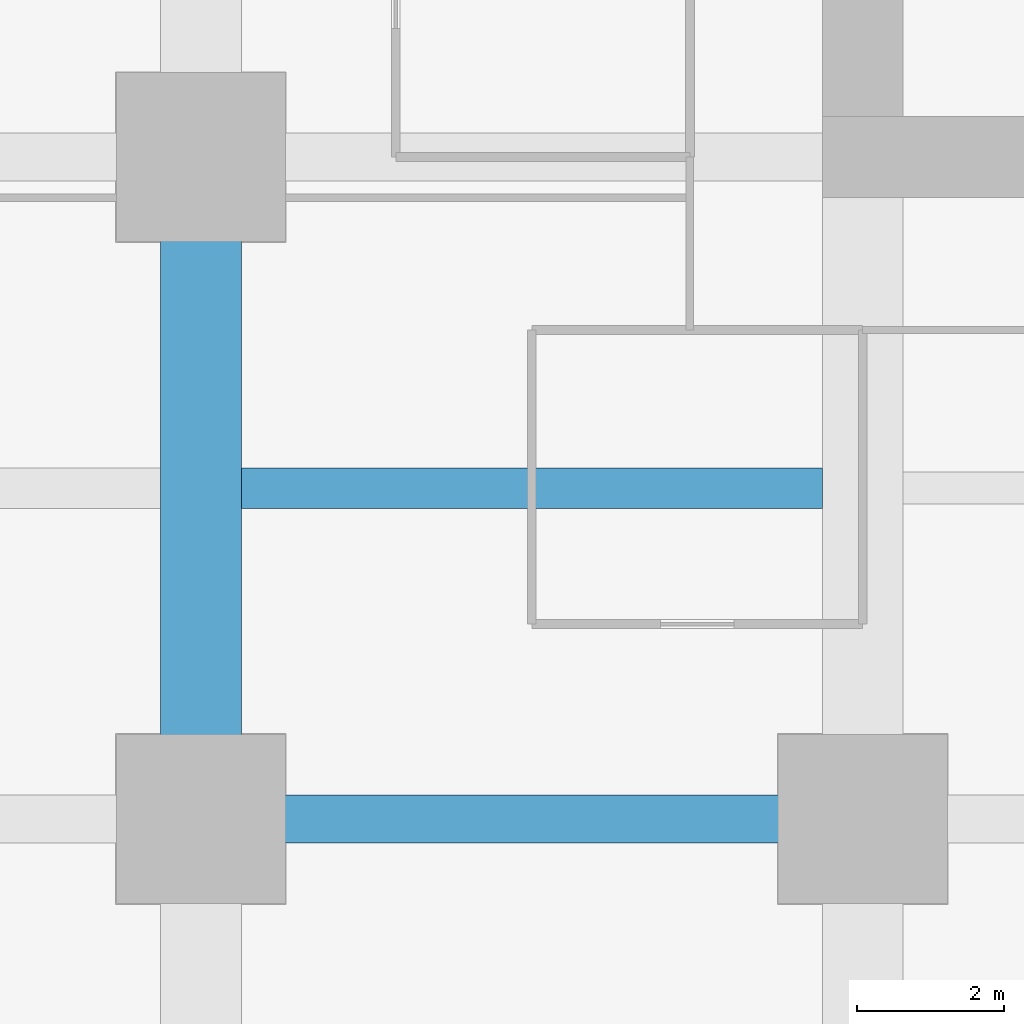
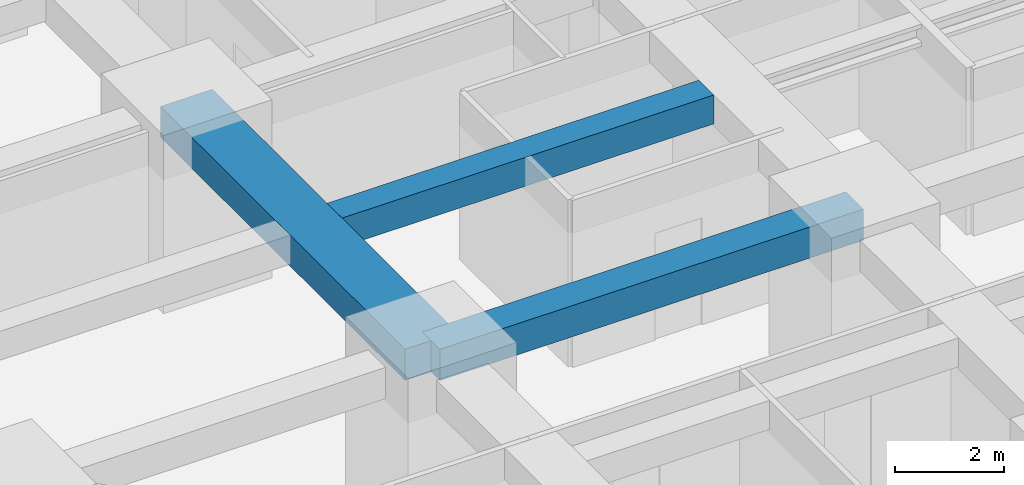
# One storey, part 5 of 45: 3 beams.
"""IFC4 building model written with IfcOpenShell, lengths in metres."""

import ifcopenshell
import ifcopenshell.guid

model = None  # the IFC model being written
_history = None  # IfcOwnerHistory: only IFC2X3 demands one
_inside = {}  # id of a spatial element -> (the spatial element, [elements in it])
_under = {}  # id of a project, library or spatial element -> (it, [spatial elements below it])
_declared = {}  # id of a project -> (the project, [libraries it declares])
_typed = {}  # id of a type object -> (the type object, [elements of that type])
_made_of = {}  # id of a material, layer set ... -> (it, [elements and type objects made of it])


def new_model(schema):
    """Start an empty IFC model of exactly this schema.

    Asked for "IFC4X3", IfcOpenShell would pick the latest addendum, in which some entities
    have other attributes; the version numbers below select the first issue.
    IFC2X3 requires an IfcOwnerHistory on every rooted entity: one is made here for all.
    """
    global model, _history
    if schema == "IFC4X3":
        model = ifcopenshell.file(schema_version=(4, 3, 0, 0))
    else:
        model = ifcopenshell.file(schema=schema)
    _inside.clear()
    _under.clear()
    _declared.clear()
    _typed.clear()
    _made_of.clear()
    _history = None
    if model.schema == "IFC2X3":
        org = make("IfcOrganization", Name="unknown")
        user = make(
            "IfcPersonAndOrganization",
            ThePerson=make("IfcPerson", FamilyName="unknown"),
            TheOrganization=org,
        )
        app = make(
            "IfcApplication",
            ApplicationDeveloper=org,
            Version="unknown",
            ApplicationFullName="unknown",
            ApplicationIdentifier="unknown",
        )
        _history = make(
            "IfcOwnerHistory",
            OwningUser=user,
            OwningApplication=app,
            ChangeAction="ADDED",
            CreationDate=0,
        )
    return model


def make(cls, **values):
    """One entity of the class cls with the attributes given. An attribute that is None is left unset."""
    return model.create_entity(
        cls, **{name: value for name, value in values.items() if value is not None}
    )


def rooted(cls, **values):
    """An entity with a GlobalId (a new one), such as an element, a storey or a relation."""
    return make(cls, GlobalId=ifcopenshell.guid.new(), OwnerHistory=_history, **values)


def si_unit(unit_type, name, prefix=None):
    """IfcSIUnit, for example si_unit("LENGTHUNIT", "METRE", prefix="MILLI")."""
    return make("IfcSIUnit", UnitType=unit_type, Prefix=prefix, Name=name)


def assignment(units):
    """IfcUnitAssignment: the units of a project."""
    return None if units is None else make("IfcUnitAssignment", Units=units)


def point(xyz):
    """IfcCartesianPoint."""
    return None if xyz is None else make("IfcCartesianPoint", Coordinates=xyz)


def direction(xyz):
    """IfcDirection."""
    return None if xyz is None else make("IfcDirection", DirectionRatios=xyz)


def frame(location, z_axis=None, x_axis=None):
    """IfcAxis2Placement3D, a coordinate frame: its origin and axes. An axis left out is left unset."""
    return make(
        "IfcAxis2Placement3D",
        Location=point(location),
        Axis=direction(z_axis),
        RefDirection=direction(x_axis),
    )


def frame_2d(location, x_axis=None):
    """IfcAxis2Placement2D, a coordinate frame in the plane: its origin and x axis."""
    return make(
        "IfcAxis2Placement2D", Location=point(location), RefDirection=direction(x_axis)
    )


def origin():
    """The frame at (0, 0, 0) with its axes left unset."""
    return frame((0.0, 0.0, 0.0))


def origin_2d():
    """The frame at (0, 0) in the plane with its x axis left unset."""
    return frame_2d((0.0, 0.0))


def place(relative_to, where):
    """IfcLocalPlacement: puts the frame where relative to a parent placement (None: the world)."""
    return make(
        "IfcLocalPlacement", PlacementRelTo=relative_to, RelativePlacement=where
    )


def context(
    kind, dimensions, precision=None, world=None, true_north=None, identifier=None
):
    """IfcGeometricRepresentationContext, for example the 3D "Model" context."""
    return make(
        "IfcGeometricRepresentationContext",
        ContextIdentifier=identifier,
        ContextType=kind,
        CoordinateSpaceDimension=dimensions,
        Precision=precision,
        WorldCoordinateSystem=world,
        TrueNorth=true_north,
    )


def subcontext(parent, identifier, kind, view, scale=None):
    """IfcGeometricRepresentationSubContext, for example "Body" below "Model"."""
    return make(
        "IfcGeometricRepresentationSubContext",
        ContextIdentifier=identifier,
        ContextType=kind,
        ParentContext=parent,
        TargetScale=scale,
        TargetView=view,
    )


def project(units=None, contexts=None):
    """IfcProject with its units and contexts."""
    return rooted(
        "IfcProject",
        Name="project",
        RepresentationContexts=contexts,
        UnitsInContext=assignment(units),
    )


def spatial(cls, under=None, at=None, **own):
    """A site, building, storey or space (cls), placed at a placement, below another one or the project."""
    s = rooted(cls, ObjectPlacement=at, **own)
    if under is not None:
        _under.setdefault(under.id(), (under, []))[1].append(s)
    return s


def profile(cls, at=None, kind="AREA", **sizes):
    """A parametric profile (cls). Its sizes go by their IFC names, for example OverallWidth=200.0."""
    return make(cls, ProfileType=kind, Position=at, **sizes)


def rectangle(**sizes):
    """IfcRectangleProfileDef."""
    return profile("IfcRectangleProfileDef", **sizes)


def extrude(swept, where, along, depth):
    """IfcExtrudedAreaSolid: the profile swept, set in the frame where, extruded along a direction by depth."""
    return make(
        "IfcExtrudedAreaSolid",
        SweptArea=swept,
        Position=where,
        ExtrudedDirection=direction(along),
        Depth=depth,
    )


def shape(context_of_items, identifier, shape_type, items):
    """IfcShapeRepresentation: the items that make up one representation, for example the "Body"."""
    return make(
        "IfcShapeRepresentation",
        ContextOfItems=context_of_items,
        RepresentationIdentifier=identifier,
        RepresentationType=shape_type,
        Items=items,
    )


def material(Name=None, Category=None):
    """IfcMaterial."""
    return make("IfcMaterial", Name=Name, Category=Category)


def material_profile(
    of_material, cross_section, Name=None, Category=None, Priority=None
):
    """IfcMaterialProfile: a cross section and its material."""
    return make(
        "IfcMaterialProfile",
        Name=Name,
        Material=of_material,
        Profile=cross_section,
        Priority=Priority,
        Category=Category,
    )


def profile_set(profiles, Name=None, composite=None):
    """IfcMaterialProfileSet."""
    return make(
        "IfcMaterialProfileSet",
        Name=Name,
        MaterialProfiles=profiles,
        CompositeProfile=composite,
    )


def made_of(thing, what):
    """Note that an element or type object is made of a material, layer set ...; save() writes the relation."""
    if what is not None:
        _made_of.setdefault(what.id(), (what, []))[1].append(thing)
    return thing


def type_object(cls, material=None, **own):
    """A type object (cls), such as IfcWallType, which elements share."""
    return made_of(rooted(cls, **own), material)


def element(
    cls,
    number,
    at=None,
    inside=None,
    cuts=None,
    type_object=None,
    material=None,
    context=None,
    identifier="Body",
    shape_type=None,
    held_by="IfcProductDefinitionShape",
    body=None,
    shapes=None,
    **own,
):
    """One element of the class cls, such as IfcWall. Its Tag is "e" and its number.

    at: its placement. inside: the storey or other place that contains it. cuts: it is an
    opening in that element (IfcRelVoidsElement). A single representation is given by context,
    identifier, shape_type and body (its items); several are given by shapes. held_by: the class
    of the entity that holds the representations. save() writes the other relations.
    """
    e = rooted(cls, Tag="e%d" % number, ObjectPlacement=at, **own)
    if body is not None:
        shapes = [shape(context, identifier, shape_type, body)]
    if shapes is not None:
        e.Representation = make(held_by, Representations=shapes)
    if inside is not None:
        _inside.setdefault(inside.id(), (inside, []))[1].append(e)
    if cuts is not None:
        rooted(
            "IfcRelVoidsElement", RelatingBuildingElement=cuts, RelatedOpeningElement=e
        )
    if type_object is not None:
        _typed.setdefault(type_object.id(), (type_object, []))[1].append(e)
    return made_of(e, material)


def aggregate(whole, parts):
    """IfcRelAggregates: a whole, such as a stair, and the parts it consists of."""
    return rooted("IfcRelAggregates", RelatingObject=whole, RelatedObjects=parts)


def save(model, path):
    """Write the relations noted so far, then the file.

    IfcRelAggregates (storeys below a building ...), IfcRelContainedInSpatialStructure (elements
    in a storey), IfcRelDefinesByType, IfcRelAssociatesMaterial and IfcRelDeclares: one each for
    every whole, place, type object, material and project.
    """
    for whole, parts in _under.values():
        aggregate(whole, parts)
    for where, things in _inside.values():
        rooted(
            "IfcRelContainedInSpatialStructure",
            RelatedElements=things,
            RelatingStructure=where,
        )
    for kind, things in _typed.values():
        rooted("IfcRelDefinesByType", RelatedObjects=things, RelatingType=kind)
    for what, things in _made_of.values():
        rooted("IfcRelAssociatesMaterial", RelatedObjects=things, RelatingMaterial=what)
    for by, libraries in _declared.values():
        rooted("IfcRelDeclares", RelatingContext=by, RelatedDefinitions=libraries)
    model.write(path)


model = new_model("IFC4")

# Units and contexts
model_context = context("Model", 3, precision=1e-05, world=origin(), true_north=direction((0.0, 1.0)))
body_context = subcontext(model_context, "Body", "Model", "MODEL_VIEW")
ifc_project = project(units=[si_unit("LENGTHUNIT", "METRE"), si_unit("AREAUNIT", "SQUARE_METRE"), si_unit("VOLUMEUNIT", "CUBIC_METRE"), si_unit("PLANEANGLEUNIT", "RADIAN"), si_unit("MASSUNIT", "GRAM", prefix="KILO")], contexts=[model_context])

# Site, building, storey
site_placement = place(None, origin())
site = spatial("IfcSite", under=ifc_project, at=site_placement, CompositionType="ELEMENT")
building_placement = place(site_placement, origin())
building = spatial("IfcBuilding", under=site, at=building_placement, Name="Zorevar Civic Tower", CompositionType="ELEMENT")
storey_placement = place(building_placement, frame((0.0, 0.0, 27.800048828125)))
storey = spatial("IfcBuildingStorey", under=building, at=storey_placement, Name="L06", CompositionType="ELEMENT", Elevation=27.800048828125)

# Beams
ifc_material_1 = material(Name="Concrete C50/60", Category="concrete")
ifc_material_profile_1 = material_profile(ifc_material_1, rectangle(XDim=1.10009765625, YDim=0.699951171875, at=origin_2d()), Name="RC 1100x700")
ifc_profile_set_1 = profile_set([ifc_material_profile_1], Name="Concrete C50/60")
beam_type_1 = type_object("IfcBeamType", Name="Beam RC 1100x700", PredefinedType="BEAM", material=ifc_profile_set_1)
beam_1_placement = place(storey_placement, frame((9.0, 9.0, 3.39990234375), z_axis=(0.0, 1.0, 0.0), x_axis=(-1.0, 0.0, 0.0)))
element("IfcBeam", 1, at=beam_1_placement, inside=storey, type_object=beam_type_1, Name="Girder L07", PredefinedType="BEAM", context=body_context, shape_type="SweptSolid", body=[
    extrude(rectangle(XDim=1.10009765625, YDim=0.699951171875, at=origin_2d()), origin(), (0.0, 0.0, 1.0), 9.0),
])
ifc_material_2 = material(Name="Concrete C50/60", Category="concrete")
ifc_material_profile_2 = material_profile(ifc_material_2, rectangle(XDim=0.550048828125, YDim=0.64990234375, at=origin_2d()), Name="RC 550x650")
ifc_profile_set_2 = profile_set([ifc_material_profile_2], Name="Concrete C50/60")
beam_type_2 = type_object("IfcBeamType", Name="Beam RC 550x650", PredefinedType="BEAM", material=ifc_profile_set_2)
beam_2_placement = place(storey_placement, frame((9.550048828125, 13.5, 3.425048828125), z_axis=(1.0, 0.0, 0.0), x_axis=(0.0, 1.0, 0.0)))
element("IfcBeam", 2, at=beam_2_placement, inside=storey, type_object=beam_type_2, Name="Secondary beam L07", PredefinedType="BEAM", context=body_context, shape_type="SweptSolid", body=[
    extrude(rectangle(XDim=0.550048828125, YDim=0.64990234375, at=origin_2d()), origin(), (0.0, 0.0, 1.0), 7.89990234375),
])
ifc_material_3 = material(Name="Concrete C50/60", Category="concrete")
ifc_material_profile_3 = material_profile(ifc_material_3, rectangle(XDim=0.64990234375, YDim=0.699951171875, at=origin_2d()), Name="RC 650x700")
ifc_profile_set_3 = profile_set([ifc_material_profile_3], Name="Concrete C50/60")
beam_type_3 = type_object("IfcBeamType", Name="Beam RC 650x700", PredefinedType="BEAM", material=ifc_profile_set_3)
beam_3_placement = place(storey_placement, frame((9.0, 9.0, 3.39990234375), z_axis=(1.0, 0.0, 0.0), x_axis=(0.0, 1.0, 0.0)))
element("IfcBeam", 3, at=beam_3_placement, inside=storey, type_object=beam_type_3, Name="Girder L07", PredefinedType="BEAM", context=body_context, shape_type="SweptSolid", body=[
    extrude(rectangle(XDim=0.64990234375, YDim=0.699951171875, at=origin_2d()), origin(), (0.0, 0.0, 1.0), 9.0),
])

save(model, "model.ifc")
